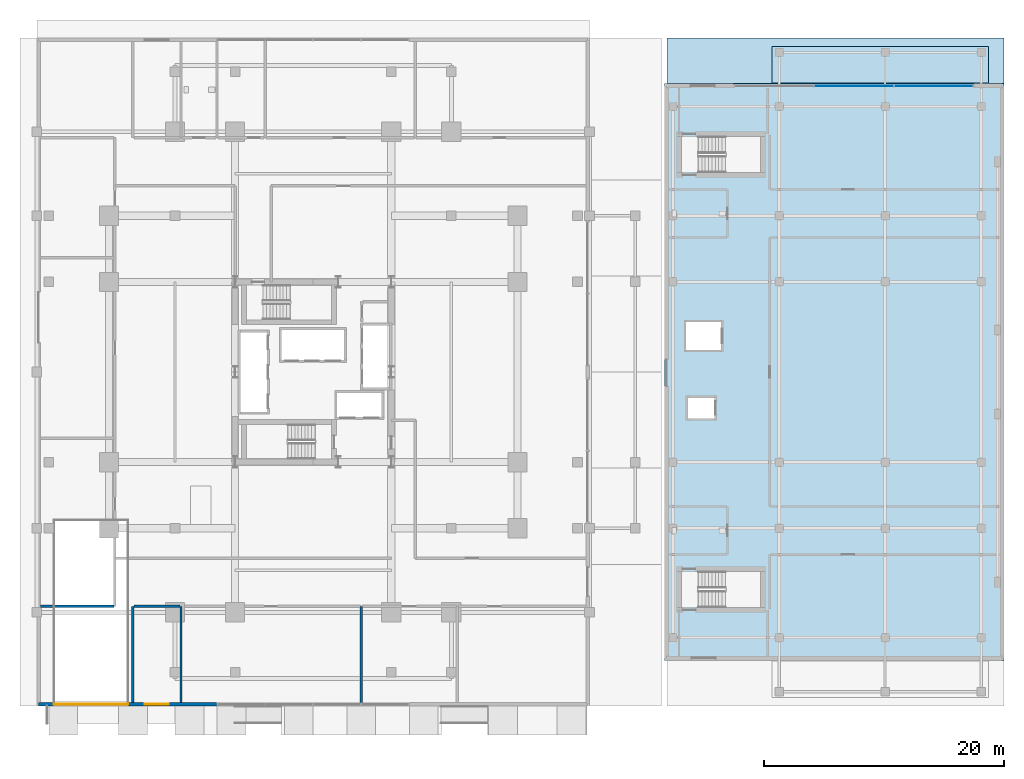
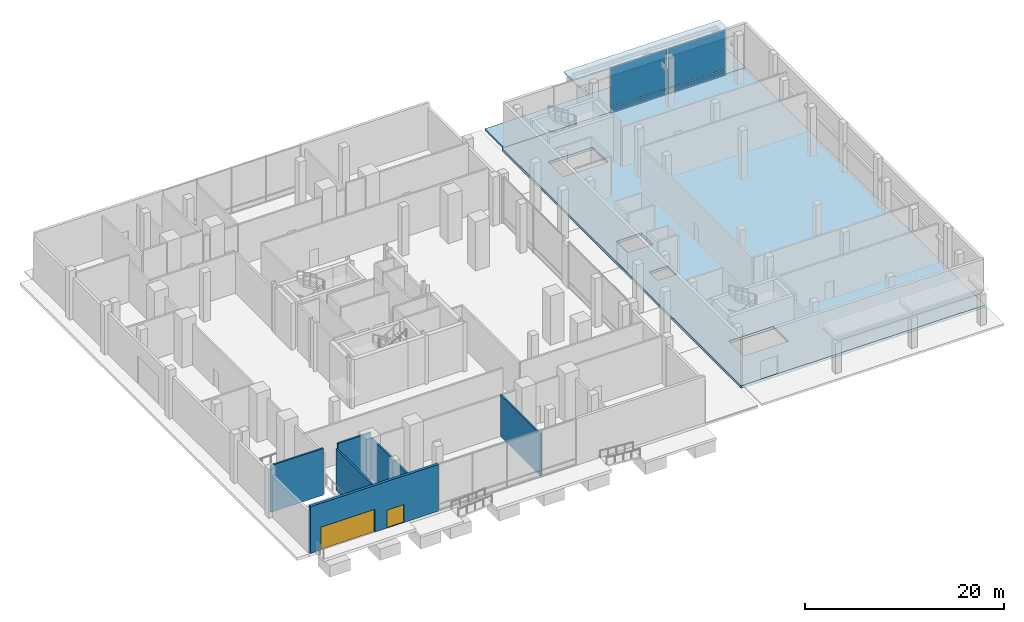
# One storey, part 24 of 34: 6 walls, 4 plates, 3 slabs, 2 doors, 2 openings, 1 element without a shape of its own.
"""IFC4 building model written with IfcOpenShell, lengths in metres."""

from ifc_helpers import new_model, si_unit, direction, frame, frame_2d, origin, origin_2d, place, context, subcontext, project, spatial, polyline, rectangle, outline, extrude, material, layer, layer_set, type_object, element, fill, aggregate, save


model = new_model("IFC4")

# Units and contexts
model_context = context("Model", 3, precision=1e-05, world=origin(), true_north=direction((0.0, 1.0)))
body_context = subcontext(model_context, "Body", "Model", "MODEL_VIEW")
ifc_project = project(units=[si_unit("LENGTHUNIT", "METRE"), si_unit("AREAUNIT", "SQUARE_METRE"), si_unit("VOLUMEUNIT", "CUBIC_METRE"), si_unit("PLANEANGLEUNIT", "RADIAN"), si_unit("MASSUNIT", "GRAM", prefix="KILO")], contexts=[model_context])

# Site, building, storey
site_placement = place(None, origin())
site = spatial("IfcSite", under=ifc_project, at=site_placement, CompositionType="ELEMENT")
building_placement = place(site_placement, origin())
building = spatial("IfcBuilding", under=site, at=building_placement, Name="Barlavira Tower and Art Museum", CompositionType="ELEMENT")
storey_placement = place(building_placement, origin())
storey = spatial("IfcBuildingStorey", under=building, at=storey_placement, Name="L00", CompositionType="ELEMENT", Elevation=0.0)

# Slab
ifc_material_1 = material(Name="Concrete C50", Category="concrete")
ifc_layer_1 = layer(ifc_material_1, 0.239990234375, Name="Concrete C50")
ifc_layer_set_1 = layer_set([ifc_layer_1], Name="Concrete C50")
slab_type_1 = type_object("IfcSlabType", Name="Cascading Garden and Lookout Terrace Slab 240 Concrete C50", PredefinedType="FLOOR", material=ifc_layer_set_1)
slab_1_placement = place(storey_placement, frame((0.0, 0.0, -0.239990234375)))
element("IfcSlab", 1, at=slab_1_placement, inside=storey, type_object=slab_type_1, Name="L00 Museum North Sculpture Terrace Slab", PredefinedType="FLOOR", context=body_context, shape_type="SweptSolid", body=[
    extrude(outline(polyline([(29.449951171875, 24.0), (57.5, 24.0), (57.5, 27.800048828125), (29.449951171875, 27.800048828125), (29.449951171875, 24.0)])), origin(), (0.0, 0.0, 1.0), 0.239990234375),
])

# Curtain wall, plates
ifc_material_2 = material(Name="Low-iron coastal laminated glass", Category="glass")
ifc_layer_2 = layer(ifc_material_2, 0.199951171875, Name="Low-iron coastal laminated glass")
ifc_layer_set_2 = layer_set([ifc_layer_2], Name="Low-iron coastal laminated glass")
curtain_wall_type = type_object("IfcCurtainWallType", Name="Coastal Art Museum North-Light Curtain Wall", PredefinedType="NOTDEFINED", material=ifc_layer_set_2)
curtain_wall_placement = place(storey_placement, origin())
curtain_wall = element("IfcCurtainWall", 2, at=curtain_wall_placement, inside=storey, type_object=curtain_wall_type, Name="L00 Curtain Wall CW6-MUS-L00-N", PredefinedType="NOTDEFINED")
ifc_material_3 = material(Name="Pale anodised aluminium", Category="aluminium")
ifc_layer_3 = layer(ifc_material_3, 0.044921875, Name="Pale anodised aluminium")
ifc_layer_set_3 = layer_set([ifc_layer_3], Name="Pale anodised aluminium")
plate_type_1 = type_object("IfcPlateType", Name="Curtain Wall Pale-Metal Spandrel Panel 45", PredefinedType="CURTAIN_PANEL", material=ifc_layer_set_3)
plate_1_placement = place(storey_placement, frame((51.666748046875, 23.824951171875, 0.0400390625), z_axis=(0.0, 0.0, 1.0), x_axis=(-1.0, 0.0, 0.0)))
plate_1 = element("IfcPlate", 3, at=plate_1_placement, type_object=plate_type_1, Name="CW6-MUS-L00-N Spandrel Panel 0", PredefinedType="CURTAIN_PANEL", context=body_context, shape_type="SweptSolid", body=[
    extrude(rectangle(XDim=6.566650390625, YDim=0.044921875, at=origin_2d()), origin(), (0.0, 0.0, 1.0), 0.669921875),
])
plate_2_placement = place(storey_placement, frame((45.0, 23.824951171875, 0.0400390625), z_axis=(0.0, 0.0, 1.0), x_axis=(-1.0, 0.0, 0.0)))
plate_2 = element("IfcPlate", 4, at=plate_2_placement, type_object=plate_type_1, Name="CW6-MUS-L00-N Spandrel Panel 1", PredefinedType="CURTAIN_PANEL", context=body_context, shape_type="SweptSolid", body=[
    extrude(rectangle(XDim=6.566650390625, YDim=0.044921875, at=origin_2d()), origin(), (0.0, 0.0, 1.0), 0.669921875),
])
ifc_layer_4 = layer(ifc_material_2, 0.028076171875, Name="Low-iron coastal laminated glass")
ifc_layer_set_4 = layer_set([ifc_layer_4], Name="Low-iron coastal laminated glass")
plate_type_2 = type_object("IfcPlateType", Name="Curtain Wall Vision Glazing Panel 28", PredefinedType="CURTAIN_PANEL", material=ifc_layer_set_4)
plate_3_placement = place(storey_placement, frame((51.666748046875, 23.824951171875, 0.7900390625), z_axis=(0.0, 0.0, 1.0), x_axis=(-1.0, 0.0, 0.0)))
plate_3 = element("IfcPlate", 5, at=plate_3_placement, type_object=plate_type_2, Name="CW6-MUS-L00-N Vision Glass Panel 0", PredefinedType="CURTAIN_PANEL", context=body_context, shape_type="SweptSolid", body=[
    extrude(rectangle(XDim=6.566650390625, YDim=0.028076171875, at=origin_2d()), origin(), (0.0, 0.0, 1.0), 4.85009765625),
])
plate_4_placement = place(storey_placement, frame((45.0, 23.824951171875, 0.7900390625), z_axis=(0.0, 0.0, 1.0), x_axis=(-1.0, 0.0, 0.0)))
plate_4 = element("IfcPlate", 6, at=plate_4_placement, type_object=plate_type_2, Name="CW6-MUS-L00-N Vision Glass Panel 1", PredefinedType="CURTAIN_PANEL", context=body_context, shape_type="SweptSolid", body=[
    extrude(rectangle(XDim=6.566650390625, YDim=0.028076171875, at=origin_2d()), origin(), (0.0, 0.0, 1.0), 4.85009765625),
])
aggregate(curtain_wall, [plate_1, plate_3, plate_2, plate_4])

# Slabs
ifc_layer_5 = layer(ifc_material_1, 0.320068359375, Name="Concrete C50")
ifc_layer_set_5 = layer_set([ifc_layer_5], Name="Concrete C50")
slab_type_2 = type_object("IfcSlabType", Name="Museum Exhibition Gallery Slab 320 Concrete C50", PredefinedType="FLOOR", material=ifc_layer_set_5)
slab_2_placement = place(storey_placement, frame((0.0, 0.0, -0.320068359375)))
element("IfcSlab", 7, at=slab_2_placement, inside=storey, type_object=slab_type_2, Name="L00 Coastal Art Museum Floor Slab", PredefinedType="FLOOR", context=body_context, shape_type="SweptSolid", body=[
    extrude(outline(polyline([(29.25, -24.0), (57.5, -24.0), (57.5, 24.0), (29.25, 24.0), (29.25, -24.0)]), holes=[polyline([(32.070068359375, -19.60009765625), (37.25, -19.60009765625), (37.25, -16.60009765625), (32.070068359375, -16.60009765625), (32.070068359375, -19.60009765625)]), polyline([(32.070068359375, 16.60009765625), (37.25, 16.60009765625), (37.25, 19.60009765625), (32.070068359375, 19.60009765625), (32.070068359375, 16.60009765625)]), polyline([(31.199951171875, -3.85009765625), (33.39990234375, -3.85009765625), (33.39990234375, -2.14990234375), (31.199951171875, -2.14990234375), (31.199951171875, -3.85009765625)]), polyline([(31.050048828125, 1.85009765625), (33.949951171875, 1.85009765625), (33.949951171875, 4.14990234375), (31.050048828125, 4.14990234375), (31.050048828125, 1.85009765625)])]), origin(), (0.0, 0.0, 1.0), 0.320068359375),
])
ifc_material_4 = material(Name="Pale anodised steel S355", Category="steel")
ifc_layer_6 = layer(ifc_material_4, 0.179931640625, Name="Pale anodised steel S355")
ifc_layer_set_6 = layer_set([ifc_layer_6], Name="Pale anodised steel S355")
slab_type_3 = type_object("IfcSlabType", Name="Sloped Pale-Metal Lookout Canopy Roof 180 Steel S355", PredefinedType="ROOF", material=ifc_layer_set_6)
slab_3_placement = place(storey_placement, frame((0.0, 0.0, 4.199951171875)))
element("IfcSlab", 8, at=slab_3_placement, inside=storey, type_object=slab_type_3, Name="L00 North Sculpture Plinth Pergola Canopy", PredefinedType="ROOF", context=body_context, shape_type="SweptSolid", body=[
    extrude(outline(polyline([(38.199951171875, 24.050048828125), (56.199951171875, 24.050048828125), (56.199951171875, 27.10009765625), (38.199951171875, 27.10009765625), (38.199951171875, 24.050048828125)])), origin(), (0.0, 0.0, 1.0), 0.179931640625),
])

# Walls
ifc_material_5 = material(Name="Autoclaved aerated concrete masonry", Category="masonry")
ifc_layer_7 = layer(ifc_material_5, 0.199951171875, Name="Autoclaved aerated concrete masonry")
ifc_layer_set_7 = layer_set([ifc_layer_7], Name="Autoclaved aerated concrete masonry")
wall_type_1 = type_object("IfcWallType", Name="Fire Compartment and Shaft Wall 200", PredefinedType="SOLIDWALL", material=ifc_layer_set_7)
for number, where, z_axis, x_axis, name in (
    (9, (-15.0, -27.4951171875, 0.0), (0.0, 0.0, 1.0), (0.0, 1.0, 0.0), "L00 Partition Wall 2"),
    (10, (-11.0, -27.4951171875, 0.0), (0.0, 0.0, 1.0), (0.0, 1.0, 0.0), "L00 Partition Wall 4"),
):
    element("IfcWall", number, at=place(storey_placement, frame(where, z_axis=z_axis, x_axis=x_axis)), inside=storey, type_object=wall_type_1, Name=name, PredefinedType="SOLIDWALL", context=body_context, shape_type="SweptSolid", body=[
        extrude(rectangle(XDim=7.9951171875, YDim=0.199951171875, at=frame_2d((3.99755859375, 0.0))), origin(), (0.0, 0.0, 1.0), 5.075927734375),
    ])
wall_1_placement = place(storey_placement, frame((4.0, -27.554931640625, 0.0), z_axis=(0.0, 0.0, 1.0), x_axis=(0.0, 1.0, 0.0)))
element("IfcWall", 11, at=wall_1_placement, inside=storey, type_object=wall_type_1, Name="L00 Partition Wall 8", PredefinedType="SOLIDWALL", context=body_context, shape_type="SweptSolid", body=[
    extrude(rectangle(XDim=8.054931640625, YDim=0.199951171875, at=frame_2d((4.02734375, 0.0))), origin(), (0.0, 0.0, 1.0), 5.075927734375),
])
wall_2_placement = place(storey_placement, frame((-22.695068359375, -19.5, 0.0), z_axis=(0.0, 0.0, 1.0), x_axis=(1.0, 0.0, 0.0)))
element("IfcWall", 12, at=wall_2_placement, inside=storey, type_object=wall_type_1, Name="L00 Partition Wall 17", PredefinedType="SOLIDWALL", context=body_context, shape_type="SweptSolid", body=[
    extrude(rectangle(XDim=6.114990234375, YDim=0.199951171875, at=frame_2d((3.0576171875, 0.0))), origin(), (0.0, 0.0, 1.0), 5.719970703125),
])
wall_3_placement = place(storey_placement, frame((-14.919921875, -19.5, 0.0), z_axis=(0.0, 0.0, 1.0), x_axis=(1.0, 0.0, 0.0)))
element("IfcWall", 13, at=wall_3_placement, inside=storey, type_object=wall_type_1, Name="L00 Partition Wall 18", PredefinedType="SOLIDWALL", context=body_context, shape_type="SweptSolid", body=[
    extrude(rectangle(XDim=3.83984375, YDim=0.199951171875, at=frame_2d((1.919921875, 0.0))), origin(), (0.0, 0.0, 1.0), 5.719970703125),
])

# Wall, openings, doors
ifc_material_6 = material(Name="Precast concrete C40", Category="concrete")
ifc_layer_8 = layer(ifc_material_6, 0.300048828125, Name="Precast concrete C40")
ifc_layer_set_8 = layer_set([ifc_layer_8], Name="Precast concrete C40")
wall_type_2 = type_object("IfcWallType", Name="Podium Architectural Precast Facade Wall 300 Concrete C40", PredefinedType="SOLIDWALL", material=ifc_layer_set_8)
wall_4_placement = place(storey_placement, frame((-8.0, -27.64990234375, 0.0), z_axis=(0.0, 0.0, 1.0), x_axis=(-1.0, 0.0, 0.0)))
wall_4 = element("IfcWall", 14, at=wall_4_placement, inside=storey, type_object=wall_type_2, Name="L00 Podium South-West Wall", PredefinedType="SOLIDWALL", context=body_context, shape_type="SweptSolid", body=[
    extrude(rectangle(XDim=14.85009765625, YDim=0.300048828125, at=frame_2d((7.425048828125, 0.0))), origin(), (0.0, 0.0, 1.0), 5.719970703125),
])
opening_1_placement = place(wall_4_placement, frame((4.0, 0.0, 0.0)))
opening_1 = element("IfcOpeningElement", 15, at=opening_1_placement, cuts=wall_4, Name="Opening ED-04", PredefinedType="OPENING", context=body_context, shape_type="SweptSolid", body=[
    extrude(rectangle(XDim=2.0, YDim=2.199951171875, at=frame_2d((1.0, 1.10009765625))), frame((0.0, 0.16015625, 0.0), z_axis=(0.0, -1.0, 0.0), x_axis=(1.0, 0.0, 0.0)), (0.0, 0.0, 1.0), 0.320068359375),
])
opening_2_placement = place(wall_4_placement, frame((7.39990234375, 0.0, 0.0)))
opening_2 = element("IfcOpeningElement", 16, at=opening_2_placement, cuts=wall_4, Name="Opening VG-01", PredefinedType="OPENING", context=body_context, shape_type="SweptSolid", body=[
    extrude(rectangle(XDim=6.199951171875, YDim=2.800048828125, at=frame_2d((3.10009765625, 1.39990234375))), frame((0.0, 0.16015625, 0.0), z_axis=(0.0, -1.0, 0.0), x_axis=(1.0, 0.0, 0.0)), (0.0, 0.0, 1.0), 0.320068359375),
])
ifc_material_7 = material(Name="Galvanised steel", Category="steel")
door_type_1 = type_object("IfcDoorType", Name="Basement Car-Park Ramp Security Roller Gate 6200x2800", OperationType="NOTDEFINED", PredefinedType="GATE", material=ifc_material_7)
door_1_placement = place(opening_2_placement, origin())
door_1 = element("IfcDoor", 17, at=door_1_placement, inside=storey, type_object=door_type_1, Name="L00 Car-Park Ramp Security Roller Gate VG-RAMP", OperationType="ROLLINGUP", OverallHeight=2.800048828125, OverallWidth=6.199951171875, PredefinedType="GATE", context=body_context, shape_type="SweptSolid", body=[
    extrude(rectangle(XDim=6.199951171875, YDim=2.800048828125, at=frame_2d((3.10009765625, 1.39990234375))), frame((0.0, 0.02490234375, 0.0), z_axis=(0.0, -1.0, 0.0), x_axis=(1.0, 0.0, 0.0)), (0.0, 0.0, 1.0), 0.050048828125),
])
fill(opening_2, door_1)
door_type_2 = type_object("IfcDoorType", Name="Ground Exit Discharge Outward Double Door 2000x2200 FD90S", OperationType="NOTDEFINED", PredefinedType="DOOR", material=ifc_material_7)
door_2_placement = place(opening_1_placement, origin())
door_2 = element("IfcDoor", 18, at=door_2_placement, inside=storey, type_object=door_type_2, Name="L00 South Final Exit Discharge Door", OperationType="DOUBLE_DOOR_SINGLE_SWING", OverallHeight=2.199951171875, OverallWidth=2.0, PredefinedType="DOOR", context=body_context, shape_type="SweptSolid", body=[
    extrude(rectangle(XDim=2.0, YDim=2.199951171875, at=frame_2d((1.0, 1.10009765625))), frame((0.0, 0.02490234375, 0.0), z_axis=(0.0, -1.0, 0.0), x_axis=(1.0, 0.0, 0.0)), (0.0, 0.0, 1.0), 0.050048828125),
])
fill(opening_1, door_2)

save(model, "model.ifc")
